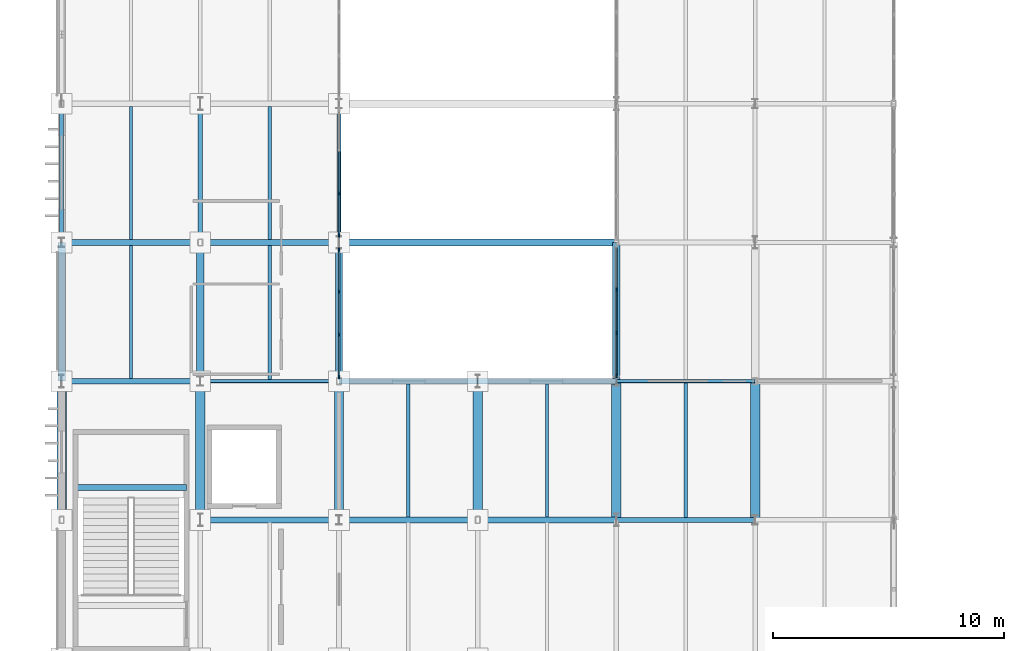
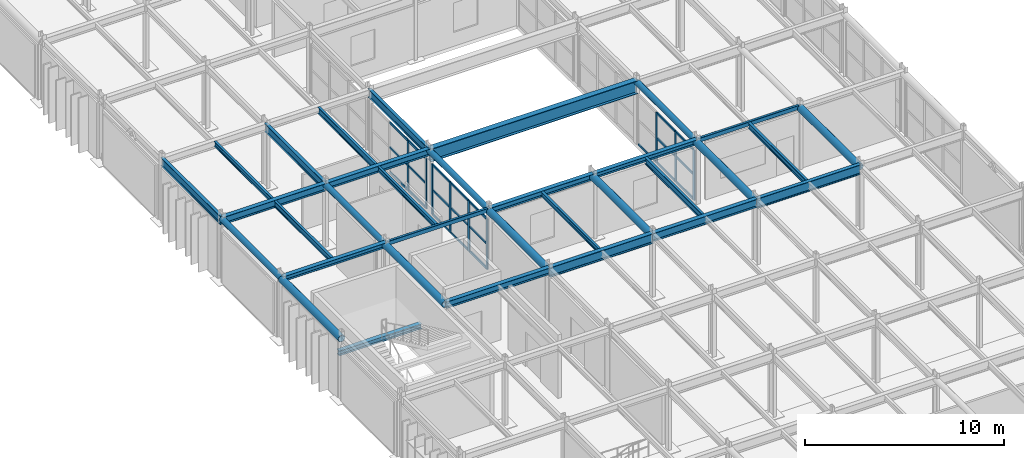
# One storey, part 36 of 116: 33 beams, 31 members, 3 elements without a shape of their own.
"""IFC4 building model written with IfcOpenShell, lengths in metres."""

from ifc_helpers import new_model, si_unit, direction, frame, origin, origin_2d, place, context, subcontext, project, spatial, rectangle, hollow_rectangle, hollow_circle, i_section, extrude, material, material_profile, profile_set, type_object, element, aggregate, save


model = new_model("IFC4")

# Units and contexts
model_context = context("Model", 3, precision=1e-05, world=origin(), true_north=direction((0.0, 1.0)))
body_context = subcontext(model_context, "Body", "Model", "MODEL_VIEW")
ifc_project = project(units=[si_unit("LENGTHUNIT", "METRE"), si_unit("AREAUNIT", "SQUARE_METRE"), si_unit("VOLUMEUNIT", "CUBIC_METRE"), si_unit("PLANEANGLEUNIT", "RADIAN"), si_unit("MASSUNIT", "GRAM", prefix="KILO")], contexts=[model_context])

# Site, building, storey
site_placement = place(None, origin())
site = spatial("IfcSite", under=ifc_project, at=site_placement, CompositionType="ELEMENT")
building_placement = place(site_placement, origin())
building = spatial("IfcBuilding", under=site, at=building_placement, Name="Varnakota Square Police Headquarters", CompositionType="ELEMENT")
storey_placement = place(building_placement, frame((0.0, 0.0, 9.300048828125)))
storey = spatial("IfcBuildingStorey", under=building, at=storey_placement, Name="L02", CompositionType="ELEMENT", Elevation=9.300048828125)

# Beams
ifc_material_1 = material(Name="Steel IS 2062 Grade 350", Category="steel")
ifc_material_profile_1 = material_profile(ifc_material_1, hollow_circle(Radius=0.161865234375, WallThickness=0.0126953125, at=origin_2d()), Name="CHS 323.9x12.7")
ifc_profile_set_1 = profile_set([ifc_material_profile_1], Name="Steel IS 2062 Grade 350")
beam_type_1 = type_object("IfcBeamType", Name="BM-ARC-CHS324", PredefinedType="BEAM", material=ifc_profile_set_1)
for number, where, z_axis, x_axis, name in (
    (1, (6.0, 39.0, 3.738037109375), (0.0, 1.0, 0.0), (-1.0, 0.0, 0.0), "BMG-L02-2107"),
    (2, (12.0, 39.0, 3.738037109375), (0.0, 1.0, 0.0), (-1.0, 0.0, 0.0), "BMG-L02-2124"),
    (3, (18.0, 39.0, 3.738037109375), (0.0, 1.0, 0.0), (-1.0, 0.0, 0.0), "BMG-L02-2138"),
    (4, (30.0, 39.0, 3.738037109375), (0.0, 1.0, 0.0), (-1.0, 0.0, 0.0), "BMG-L02-2160"),
):
    element("IfcBeam", number, at=place(storey_placement, frame(where, z_axis=z_axis, x_axis=x_axis)), inside=storey, type_object=beam_type_1, Name=name, PredefinedType="BEAM", context=body_context, shape_type="SweptSolid", body=[
        extrude(hollow_circle(Radius=0.161865234375, WallThickness=0.0126953125, at=origin_2d()), origin(), (0.0, 0.0, 1.0), 6.0),
    ])
ifc_material_profile_2 = material_profile(ifc_material_1, hollow_circle(Radius=0.203125, WallThickness=0.01611328125, at=origin_2d()), Name="CHS 406.4x16.0")
ifc_profile_set_2 = profile_set([ifc_material_profile_2], Name="Steel IS 2062 Grade 350")
beam_type_2 = type_object("IfcBeamType", Name="BM-ARC-CHS406", PredefinedType="BEAM", material=ifc_profile_set_2)
for number, where, z_axis, x_axis, name in (
    (5, (6.0, 33.0, 3.69677734375), (0.0, 1.0, 0.0), (-1.0, 0.0, 0.0), "BMG-L02-2106"),
    (6, (12.0, 33.0, 3.69677734375), (0.0, 1.0, 0.0), (-1.0, 0.0, 0.0), "BMG-L02-2123"),
    (7, (18.0, 33.0, 3.69677734375), (0.0, 1.0, 0.0), (-1.0, 0.0, 0.0), "BMG-L02-2137"),
    (8, (24.0, 33.0, 3.69677734375), (0.0, 1.0, 0.0), (-1.0, 0.0, 0.0), "BMG-L02-2151"),
    (9, (30.0, 33.0, 3.69677734375), (0.0, 1.0, 0.0), (-1.0, 0.0, 0.0), "BMG-L02-2159"),
    (10, (36.0, 33.0, 3.69677734375), (0.0, 1.0, 0.0), (-1.0, 0.0, 0.0), "BMG-L02-2173"),
):
    element("IfcBeam", number, at=place(storey_placement, frame(where, z_axis=z_axis, x_axis=x_axis)), inside=storey, type_object=beam_type_2, Name=name, PredefinedType="BEAM", context=body_context, shape_type="SweptSolid", body=[
        extrude(hollow_circle(Radius=0.203125, WallThickness=0.01611328125, at=origin_2d()), origin(), (0.0, 0.0, 1.0), 6.0),
    ])
ifc_material_profile_3 = material_profile(ifc_material_1, i_section(OverallWidth=0.320068359375, OverallDepth=0.800048828125, WebThickness=0.01611328125, FlangeThickness=0.028076171875, at=origin_2d()), Name="BPG 800x320")
ifc_profile_set_3 = profile_set([ifc_material_profile_3], Name="Steel IS 2062 Grade 350")
beam_type_3 = type_object("IfcBeamType", Name="BM-BPG800", PredefinedType="BEAM", material=ifc_profile_set_3)
beam_1_placement = place(storey_placement, frame((18.0, 45.0, 3.5), z_axis=(1.0, 0.0, 0.0), x_axis=(0.0, 1.0, 0.0)))
element("IfcBeam", 11, at=beam_1_placement, inside=storey, type_object=beam_type_3, Name="BMG-L02-1983", PredefinedType="BEAM", context=body_context, shape_type="SweptSolid", body=[
    extrude(i_section(OverallWidth=0.320068359375, OverallDepth=0.800048828125, WebThickness=0.01611328125, FlangeThickness=0.028076171875, at=origin_2d()), origin(), (0.0, 0.0, 1.0), 12.0),
])
ifc_material_profile_4 = material_profile(ifc_material_1, hollow_rectangle(XDim=0.14990234375, YDim=0.25, WallThickness=0.010009765625, InnerFilletRadius=0.010009765625, OuterFilletRadius=0.02001953125, at=origin_2d()), Name="RHS 250x150x10")
ifc_profile_set_4 = profile_set([ifc_material_profile_4], Name="Steel IS 2062 Grade 350")
beam_type_4 = type_object("IfcBeamType", Name="BM-CBEAM-RHS250", PredefinedType="BEAM", material=ifc_profile_set_4)
for number, where, z_axis, x_axis, name in (
    (12, (12.0, 39.0, 3.77490234375), (1.0, 0.0, 0.0), (0.0, 1.0, 0.0), "BMG-L02-1972"),
    (13, (30.0, 39.0, 3.77490234375), (1.0, 0.0, 0.0), (0.0, 1.0, 0.0), "BMG-L02-1975"),
):
    element("IfcBeam", number, at=place(storey_placement, frame(where, z_axis=z_axis, x_axis=x_axis)), inside=storey, type_object=beam_type_4, Name=name, PredefinedType="BEAM", context=body_context, shape_type="SweptSolid", body=[
        extrude(hollow_rectangle(XDim=0.14990234375, YDim=0.25, WallThickness=0.010009765625, InnerFilletRadius=0.010009765625, OuterFilletRadius=0.02001953125, at=origin_2d()), origin(), (0.0, 0.0, 1.0), 6.0),
    ])
ifc_material_profile_5 = material_profile(ifc_material_1, i_section(OverallWidth=0.25, OverallDepth=0.300048828125, WebThickness=0.009521484375, FlangeThickness=0.010498046875, FilletRadius=0.011962890625, at=origin_2d()), Name="ISHB 300")
ifc_profile_set_5 = profile_set([ifc_material_profile_5], Name="Steel IS 2062 Grade 350")
beam_type_5 = type_object("IfcBeamType", Name="BM-ISHB300", PredefinedType="BEAM", material=ifc_profile_set_5)
for number, where, z_axis, x_axis, name in (
    (14, (6.0, 39.0, 3.75), (1.0, 0.0, 0.0), (0.0, 1.0, 0.0), "BMG-L02-1971"),
    (15, (24.0, 39.0, 3.75), (1.0, 0.0, 0.0), (0.0, 1.0, 0.0), "BMG-L02-1974"),
):
    element("IfcBeam", number, at=place(storey_placement, frame(where, z_axis=z_axis, x_axis=x_axis)), inside=storey, type_object=beam_type_5, Name=name, PredefinedType="BEAM", context=body_context, shape_type="SweptSolid", body=[
        extrude(i_section(OverallWidth=0.25, OverallDepth=0.300048828125, WebThickness=0.009521484375, FlangeThickness=0.010498046875, FilletRadius=0.011962890625, at=origin_2d()), origin(), (0.0, 0.0, 1.0), 6.0),
    ])
beam_2_placement = place(storey_placement, frame((6.60009765625, 34.400634765625, 1.783935546875), z_axis=(1.0, 0.0, 0.0), x_axis=(0.0, 1.0, 0.0)))
element("IfcBeam", 16, at=beam_2_placement, inside=storey, type_object=beam_type_5, Name="Stair landing support beam BM-LND-0051", PredefinedType="BEAM", context=body_context, shape_type="SweptSolid", body=[
    extrude(i_section(OverallWidth=0.25, OverallDepth=0.300048828125, WebThickness=0.009521484375, FlangeThickness=0.010498046875, FilletRadius=0.011962890625, at=origin_2d()), origin(), (0.0, 0.0, 1.0), 4.7998046875),
])
ifc_material_profile_6 = material_profile(ifc_material_1, i_section(OverallWidth=0.25, OverallDepth=0.35009765625, WebThickness=0.010009765625, FlangeThickness=0.01171875, FilletRadius=0.011962890625, at=origin_2d()), Name="ISHB 350")
ifc_profile_set_6 = profile_set([ifc_material_profile_6], Name="Steel IS 2062 Grade 350")
beam_type_6 = type_object("IfcBeamType", Name="BM-ISHB350", PredefinedType="BEAM", material=ifc_profile_set_6)
beam_3_placement = place(storey_placement, frame((18.0, 39.0, 3.724853515625), z_axis=(1.0, 0.0, 0.0), x_axis=(0.0, 1.0, 0.0)))
element("IfcBeam", 17, at=beam_3_placement, inside=storey, type_object=beam_type_6, Name="BMG-L02-1973", PredefinedType="BEAM", context=body_context, shape_type="SweptSolid", body=[
    extrude(i_section(OverallWidth=0.25, OverallDepth=0.35009765625, WebThickness=0.010009765625, FlangeThickness=0.01171875, FilletRadius=0.011962890625, at=origin_2d()), origin(), (0.0, 0.0, 1.0), 6.0),
])
ifc_material_profile_7 = material_profile(ifc_material_1, i_section(OverallWidth=0.25, OverallDepth=0.39990234375, WebThickness=0.010498046875, FlangeThickness=0.0126953125, FilletRadius=0.013916015625, at=origin_2d()), Name="ISHB 400")
ifc_profile_set_7 = profile_set([ifc_material_profile_7], Name="Steel IS 2062 Grade 350")
beam_type_7 = type_object("IfcBeamType", Name="BM-ISHB400", PredefinedType="BEAM", material=ifc_profile_set_7)
for number, where, z_axis, x_axis, name in (
    (18, (12.0, 33.0, 3.699951171875), (1.0, 0.0, 0.0), (0.0, 1.0, 0.0), "BMG-L02-1963"),
    (19, (12.0, 45.0, 3.699951171875), (1.0, 0.0, 0.0), (0.0, 1.0, 0.0), "BMG-L02-1982"),
):
    element("IfcBeam", number, at=place(storey_placement, frame(where, z_axis=z_axis, x_axis=x_axis)), inside=storey, type_object=beam_type_7, Name=name, PredefinedType="BEAM", context=body_context, shape_type="SweptSolid", body=[
        extrude(i_section(OverallWidth=0.25, OverallDepth=0.39990234375, WebThickness=0.010498046875, FlangeThickness=0.0126953125, FilletRadius=0.013916015625, at=origin_2d()), origin(), (0.0, 0.0, 1.0), 6.0),
    ])
ifc_material_profile_8 = material_profile(ifc_material_1, i_section(OverallWidth=0.25, OverallDepth=0.449951171875, WebThickness=0.01123046875, FlangeThickness=0.013671875, FilletRadius=0.014892578125, at=origin_2d()), Name="ISHB 450")
ifc_profile_set_8 = profile_set([ifc_material_profile_8], Name="Steel IS 2062 Grade 350")
beam_type_8 = type_object("IfcBeamType", Name="BM-ISHB450", PredefinedType="BEAM", material=ifc_profile_set_8)
beam_4_placement = place(storey_placement, frame((6.0, 45.0, 3.675048828125), z_axis=(1.0, 0.0, 0.0), x_axis=(0.0, 1.0, 0.0)))
element("IfcBeam", 20, at=beam_4_placement, inside=storey, type_object=beam_type_8, Name="BMG-L02-1981", PredefinedType="BEAM", context=body_context, shape_type="SweptSolid", body=[
    extrude(i_section(OverallWidth=0.25, OverallDepth=0.449951171875, WebThickness=0.01123046875, FlangeThickness=0.013671875, FilletRadius=0.014892578125, at=origin_2d()), origin(), (0.0, 0.0, 1.0), 6.0),
])
ifc_material_profile_9 = material_profile(ifc_material_1, i_section(OverallWidth=0.139892578125, OverallDepth=0.300048828125, WebThickness=0.0078125, FlangeThickness=0.01318359375, FilletRadius=0.013916015625, at=origin_2d()), Name="ISMB 300")
ifc_profile_set_9 = profile_set([ifc_material_profile_9], Name="Steel IS 2062 Grade 350")
beam_type_9 = type_object("IfcBeamType", Name="BM-ISMB300", PredefinedType="JOIST", material=ifc_profile_set_9)
beam_5_placement = place(storey_placement, frame((9.0, 45.123046875, 3.75), z_axis=(0.0, 1.0, 0.0), x_axis=(-1.0, 0.0, 0.0)))
element("IfcBeam", 21, at=beam_5_placement, inside=storey, type_object=beam_type_9, Name="BMG-L02-2314", PredefinedType="JOIST", context=body_context, shape_type="SweptSolid", body=[
    extrude(i_section(OverallWidth=0.139892578125, OverallDepth=0.300048828125, WebThickness=0.0078125, FlangeThickness=0.01318359375, FilletRadius=0.013916015625, at=origin_2d()), origin(), (0.0, 0.0, 1.0), 5.75390625),
])
beam_6_placement = place(storey_placement, frame((15.0, 39.072998046875, 3.75), z_axis=(0.0, 1.0, 0.0), x_axis=(-1.0, 0.0, 0.0)))
element("IfcBeam", 22, at=beam_6_placement, inside=storey, type_object=beam_type_9, Name="BMG-L02-2324", PredefinedType="JOIST", context=body_context, shape_type="SweptSolid", body=[
    extrude(i_section(OverallWidth=0.139892578125, OverallDepth=0.300048828125, WebThickness=0.0078125, FlangeThickness=0.01318359375, FilletRadius=0.013916015625, at=origin_2d()), origin(), (0.0, 0.0, 1.0), 5.803955078125),
])
beam_7_placement = place(storey_placement, frame((21.0, 33.123046875, 3.75), z_axis=(0.0, 1.0, 0.0), x_axis=(-1.0, 0.0, 0.0)))
element("IfcBeam", 23, at=beam_7_placement, inside=storey, type_object=beam_type_9, Name="BMG-L02-2335", PredefinedType="JOIST", context=body_context, shape_type="SweptSolid", body=[
    extrude(i_section(OverallWidth=0.139892578125, OverallDepth=0.300048828125, WebThickness=0.0078125, FlangeThickness=0.01318359375, FilletRadius=0.013916015625, at=origin_2d()), origin(), (0.0, 0.0, 1.0), 5.75390625),
])
ifc_material_profile_10 = material_profile(ifc_material_1, i_section(OverallWidth=0.139892578125, OverallDepth=0.35009765625, WebThickness=0.008056640625, FlangeThickness=0.01416015625, FilletRadius=0.013916015625, at=origin_2d()), Name="ISMB 350")
ifc_profile_set_10 = profile_set([ifc_material_profile_10], Name="Steel IS 2062 Grade 350")
beam_type_10 = type_object("IfcBeamType", Name="BM-ISMB350", PredefinedType="JOIST", material=ifc_profile_set_10)
beam_8_placement = place(storey_placement, frame((9.0, 39.123046875, 3.724853515625), z_axis=(0.0, 1.0, 0.0), x_axis=(-1.0, 0.0, 0.0)))
element("IfcBeam", 24, at=beam_8_placement, inside=storey, type_object=beam_type_10, Name="BMG-L02-2313", PredefinedType="JOIST", context=body_context, shape_type="SweptSolid", body=[
    extrude(i_section(OverallWidth=0.139892578125, OverallDepth=0.35009765625, WebThickness=0.008056640625, FlangeThickness=0.01416015625, FilletRadius=0.013916015625, at=origin_2d()), origin(), (0.0, 0.0, 1.0), 5.75390625),
])
beam_9_placement = place(storey_placement, frame((33.0, 33.10302734375, 3.724853515625), z_axis=(0.0, 1.0, 0.0), x_axis=(-1.0, 0.0, 0.0)))
element("IfcBeam", 25, at=beam_9_placement, inside=storey, type_object=beam_type_10, Name="BMG-L02-2350", PredefinedType="JOIST", context=body_context, shape_type="SweptSolid", body=[
    extrude(i_section(OverallWidth=0.139892578125, OverallDepth=0.35009765625, WebThickness=0.008056640625, FlangeThickness=0.01416015625, FilletRadius=0.013916015625, at=origin_2d()), origin(), (0.0, 0.0, 1.0), 5.823974609375),
])
ifc_material_profile_11 = material_profile(ifc_material_1, i_section(OverallWidth=0.139892578125, OverallDepth=0.39990234375, WebThickness=0.0087890625, FlangeThickness=0.01611328125, FilletRadius=0.013916015625, at=origin_2d()), Name="ISMB 400")
ifc_profile_set_11 = profile_set([ifc_material_profile_11], Name="Steel IS 2062 Grade 350")
beam_type_11 = type_object("IfcBeamType", Name="BM-ISMB400", PredefinedType="JOIST", material=ifc_profile_set_11)
for number, where, z_axis, x_axis, name in (
    (26, (15.0, 45.123046875, 3.699951171875), (0.0, 1.0, 0.0), (-1.0, 0.0, 0.0), "BMG-L02-2325"),
    (27, (27.0, 33.123046875, 3.699951171875), (0.0, 1.0, 0.0), (-1.0, 0.0, 0.0), "BMG-L02-2342"),
):
    element("IfcBeam", number, at=place(storey_placement, frame(where, z_axis=z_axis, x_axis=x_axis)), inside=storey, type_object=beam_type_11, Name=name, PredefinedType="JOIST", context=body_context, shape_type="SweptSolid", body=[
        extrude(i_section(OverallWidth=0.139892578125, OverallDepth=0.39990234375, WebThickness=0.0087890625, FlangeThickness=0.01611328125, FilletRadius=0.013916015625, at=origin_2d()), origin(), (0.0, 0.0, 1.0), 5.75390625),
    ])
ifc_material_profile_12 = material_profile(ifc_material_1, i_section(OverallWidth=0.179931640625, OverallDepth=0.5, WebThickness=0.01025390625, FlangeThickness=0.01708984375, FilletRadius=0.01708984375, at=origin_2d()), Name="ISMB 500")
ifc_profile_set_12 = profile_set([ifc_material_profile_12], Name="Steel IS 2062 Grade 350")
beam_type_12 = type_object("IfcBeamType", Name="BM-ISMB500", PredefinedType="BEAM", material=ifc_profile_set_12)
for number, where, z_axis, x_axis, name in (
    (28, (6.0, 45.0, 3.64990234375), (0.0, 1.0, 0.0), (-1.0, 0.0, 0.0), "BMG-L02-2108"),
    (29, (12.0, 45.0, 3.64990234375), (0.0, 1.0, 0.0), (-1.0, 0.0, 0.0), "BMG-L02-2125"),
    (30, (18.0, 45.0, 3.64990234375), (0.0, 1.0, 0.0), (-1.0, 0.0, 0.0), "BMG-L02-2139"),
):
    element("IfcBeam", number, at=place(storey_placement, frame(where, z_axis=z_axis, x_axis=x_axis)), inside=storey, type_object=beam_type_12, Name=name, PredefinedType="BEAM", context=body_context, shape_type="SweptSolid", body=[
        extrude(i_section(OverallWidth=0.179931640625, OverallDepth=0.5, WebThickness=0.01025390625, FlangeThickness=0.01708984375, FilletRadius=0.01708984375, at=origin_2d()), origin(), (0.0, 0.0, 1.0), 6.0),
    ])
ifc_material_profile_13 = material_profile(ifc_material_1, i_section(OverallWidth=0.2099609375, OverallDepth=0.60009765625, WebThickness=0.011962890625, FlangeThickness=0.020751953125, FilletRadius=0.02001953125, at=origin_2d()), Name="ISMB 600")
ifc_profile_set_13 = profile_set([ifc_material_profile_13], Name="Steel IS 2062 Grade 350")
beam_type_13 = type_object("IfcBeamType", Name="BM-ISMB600", PredefinedType="BEAM", material=ifc_profile_set_13)
beam_10_placement = place(storey_placement, frame((30.0, 33.0, 3.599853515625), z_axis=(1.0, 0.0, 0.0), x_axis=(0.0, 1.0, 0.0)))
element("IfcBeam", 31, at=beam_10_placement, inside=storey, type_object=beam_type_13, Name="BMG-L02-1966", PredefinedType="BEAM", context=body_context, shape_type="SweptSolid", body=[
    extrude(i_section(OverallWidth=0.2099609375, OverallDepth=0.60009765625, WebThickness=0.011962890625, FlangeThickness=0.020751953125, FilletRadius=0.02001953125, at=origin_2d()), origin(), (0.0, 0.0, 1.0), 6.0),
])
ifc_material_profile_14 = material_profile(ifc_material_1, i_section(OverallWidth=0.25, OverallDepth=0.5, WebThickness=0.010009765625, FlangeThickness=0.0146484375, FilletRadius=0.014892578125, at=origin_2d()), Name="ISWB 500")
ifc_profile_set_14 = profile_set([ifc_material_profile_14], Name="Steel IS 2062 Grade 350")
beam_type_14 = type_object("IfcBeamType", Name="BM-ISWB500", PredefinedType="BEAM", material=ifc_profile_set_14)
beam_11_placement = place(storey_placement, frame((24.0, 33.0, 3.64990234375), z_axis=(1.0, 0.0, 0.0), x_axis=(0.0, 1.0, 0.0)))
element("IfcBeam", 32, at=beam_11_placement, inside=storey, type_object=beam_type_14, Name="BMG-L02-1965", PredefinedType="BEAM", context=body_context, shape_type="SweptSolid", body=[
    extrude(i_section(OverallWidth=0.25, OverallDepth=0.5, WebThickness=0.010009765625, FlangeThickness=0.0146484375, FilletRadius=0.014892578125, at=origin_2d()), origin(), (0.0, 0.0, 1.0), 6.0),
])
ifc_material_profile_15 = material_profile(ifc_material_1, i_section(OverallWidth=0.25, OverallDepth=0.60009765625, WebThickness=0.01171875, FlangeThickness=0.023681640625, FilletRadius=0.01708984375, at=origin_2d()), Name="ISWB 600")
ifc_profile_set_15 = profile_set([ifc_material_profile_15], Name="Steel IS 2062 Grade 350")
beam_type_15 = type_object("IfcBeamType", Name="BM-ISWB600", PredefinedType="BEAM", material=ifc_profile_set_15)
beam_12_placement = place(storey_placement, frame((18.0, 33.0, 3.599853515625), z_axis=(1.0, 0.0, 0.0), x_axis=(0.0, 1.0, 0.0)))
element("IfcBeam", 33, at=beam_12_placement, inside=storey, type_object=beam_type_15, Name="BMG-L02-1964", PredefinedType="BEAM", context=body_context, shape_type="SweptSolid", body=[
    extrude(i_section(OverallWidth=0.25, OverallDepth=0.60009765625, WebThickness=0.01171875, FlangeThickness=0.023681640625, FilletRadius=0.01708984375, at=origin_2d()), origin(), (0.0, 0.0, 1.0), 6.0),
])

# Curtain wall, members
ifc_material_2 = material(Name="Anodised Aluminium Framing", Category="aluminium")
curtain_wall_type = type_object("IfcCurtainWallType", Name="CW-SYS-F", PredefinedType="NOTDEFINED", material=ifc_material_2)
curtain_wall_1_placement = place(storey_placement, origin())
curtain_wall_1 = element("IfcCurtainWall", 34, at=curtain_wall_1_placement, inside=storey, type_object=curtain_wall_type, Name="Unitised curtain wall CWG-L02-161", PredefinedType="NOTDEFINED")
ifc_material_3 = material(Name="Anodised Aluminium 6063-T6", Category="aluminium")
ifc_material_profile_16 = material_profile(ifc_material_3, rectangle(XDim=0.06494140625, YDim=0.159912109375, at=origin_2d()), Name="ALU MULLION 65x160")
ifc_profile_set_16 = profile_set([ifc_material_profile_16], Name="Anodised Aluminium 6063-T6")
member_type_1 = type_object("IfcMemberType", Name="CWM-150", PredefinedType="MULLION", material=ifc_profile_set_16)
member_1_placement = place(storey_placement, frame((18.0, 39.1875, 0.0), z_axis=(0.0, 0.0, 1.0), x_axis=(-1.0, 0.0, 0.0)))
member_1 = element("IfcMember", 35, at=member_1_placement, type_object=member_type_1, Name="CWG-L02-161 mullion 1", PredefinedType="MULLION", context=body_context, shape_type="SweptSolid", body=[
    extrude(rectangle(XDim=0.06494140625, YDim=0.159912109375, at=origin_2d()), origin(), (0.0, 0.0, 1.0), 3.08984375),
])
member_2_placement = place(storey_placement, frame((18.0, 41.010009765625, 0.0), z_axis=(0.0, 0.0, 1.0), x_axis=(-1.0, 0.0, 0.0)))
member_2 = element("IfcMember", 36, at=member_2_placement, type_object=member_type_1, Name="CWG-L02-161 mullion 2", PredefinedType="MULLION", context=body_context, shape_type="SweptSolid", body=[
    extrude(rectangle(XDim=0.06494140625, YDim=0.159912109375, at=origin_2d()), origin(), (0.0, 0.0, 1.0), 3.08984375),
])
member_3_placement = place(storey_placement, frame((18.0, 42.864990234375, 0.0), z_axis=(0.0, 0.0, 1.0), x_axis=(-1.0, 0.0, 0.0)))
member_3 = element("IfcMember", 37, at=member_3_placement, type_object=member_type_1, Name="CWG-L02-161 mullion 3", PredefinedType="MULLION", context=body_context, shape_type="SweptSolid", body=[
    extrude(rectangle(XDim=0.06494140625, YDim=0.159912109375, at=origin_2d()), origin(), (0.0, 0.0, 1.0), 3.08984375),
])
member_4_placement = place(storey_placement, frame((18.0, 44.6875, 0.0), z_axis=(0.0, 0.0, 1.0), x_axis=(-1.0, 0.0, 0.0)))
member_4 = element("IfcMember", 38, at=member_4_placement, type_object=member_type_1, Name="CWG-L02-161 mullion 4", PredefinedType="MULLION", context=body_context, shape_type="SweptSolid", body=[
    extrude(rectangle(XDim=0.06494140625, YDim=0.159912109375, at=origin_2d()), origin(), (0.0, 0.0, 1.0), 3.08984375),
])

curtain_wall_2_placement = place(storey_placement, origin())
curtain_wall_2 = element("IfcCurtainWall", 39, at=curtain_wall_2_placement, inside=storey, type_object=curtain_wall_type, Name="Unitised curtain wall CWG-L02-162", PredefinedType="NOTDEFINED")
member_5_placement = place(storey_placement, frame((30.0, 39.237548828125, 0.0), z_axis=(0.0, 0.0, 1.0), x_axis=(-1.0, 0.0, 0.0)))
member_5 = element("IfcMember", 40, at=member_5_placement, type_object=member_type_1, Name="CWG-L02-162 mullion 1", PredefinedType="MULLION", context=body_context, shape_type="SweptSolid", body=[
    extrude(rectangle(XDim=0.06494140625, YDim=0.159912109375, at=origin_2d()), origin(), (0.0, 0.0, 1.0), 3.08984375),
])
member_6_placement = place(storey_placement, frame((30.0, 41.0849609375, 0.0), z_axis=(0.0, 0.0, 1.0), x_axis=(-1.0, 0.0, 0.0)))
member_6 = element("IfcMember", 41, at=member_6_placement, type_object=member_type_1, Name="CWG-L02-162 mullion 2", PredefinedType="MULLION", context=body_context, shape_type="SweptSolid", body=[
    extrude(rectangle(XDim=0.06494140625, YDim=0.159912109375, at=origin_2d()), origin(), (0.0, 0.0, 1.0), 3.08984375),
])
member_7_placement = place(storey_placement, frame((30.0, 42.965087890625, 0.0), z_axis=(0.0, 0.0, 1.0), x_axis=(-1.0, 0.0, 0.0)))
member_7 = element("IfcMember", 42, at=member_7_placement, type_object=member_type_1, Name="CWG-L02-162 mullion 3", PredefinedType="MULLION", context=body_context, shape_type="SweptSolid", body=[
    extrude(rectangle(XDim=0.06494140625, YDim=0.159912109375, at=origin_2d()), origin(), (0.0, 0.0, 1.0), 3.08984375),
])

curtain_wall_3_placement = place(storey_placement, origin())
curtain_wall_3 = element("IfcCurtainWall", 43, at=curtain_wall_3_placement, inside=storey, type_object=curtain_wall_type, Name="Unitised curtain wall CWG-L02-163", PredefinedType="NOTDEFINED")
member_8_placement = place(storey_placement, frame((18.0, 45.3125, 0.0), z_axis=(0.0, 0.0, 1.0), x_axis=(-1.0, 0.0, 0.0)))
member_8 = element("IfcMember", 44, at=member_8_placement, type_object=member_type_1, Name="CWG-L02-163 mullion 1", PredefinedType="MULLION", context=body_context, shape_type="SweptSolid", body=[
    extrude(rectangle(XDim=0.06494140625, YDim=0.159912109375, at=origin_2d()), origin(), (0.0, 0.0, 1.0), 3.08984375),
])
member_9_placement = place(storey_placement, frame((18.0, 47.118408203125, 0.0), z_axis=(0.0, 0.0, 1.0), x_axis=(-1.0, 0.0, 0.0)))
member_9 = element("IfcMember", 45, at=member_9_placement, type_object=member_type_1, Name="CWG-L02-163 mullion 2", PredefinedType="MULLION", context=body_context, shape_type="SweptSolid", body=[
    extrude(rectangle(XDim=0.06494140625, YDim=0.159912109375, at=origin_2d()), origin(), (0.0, 0.0, 1.0), 3.08984375),
])

# Member
ifc_material_profile_17 = material_profile(ifc_material_3, rectangle(XDim=0.06494140625, YDim=0.1298828125, at=origin_2d()), Name="ALU TRANSOM 65x130")
ifc_profile_set_17 = profile_set([ifc_material_profile_17], Name="Anodised Aluminium 6063-T6")
member_type_2 = type_object("IfcMemberType", Name="CWT-120", PredefinedType="USERDEFINED", material=ifc_profile_set_17)
member_10_placement = place(storey_placement, frame((18.0, 39.219970703125, 0.032470703125), z_axis=(0.0, 1.0, 0.0), x_axis=(-1.0, 0.0, 0.0)))
member_10 = element("IfcMember", 46, at=member_10_placement, type_object=member_type_2, Name="CWG-L02-161 transom 1.1", ObjectType="TRANSOM", PredefinedType="USERDEFINED", context=body_context, shape_type="SweptSolid", body=[
    extrude(rectangle(XDim=0.06494140625, YDim=0.1298828125, at=origin_2d()), origin(), (0.0, 0.0, 1.0), 1.757568359375),
])

member_11_placement = place(storey_placement, frame((18.0, 39.219970703125, 1.544921875), z_axis=(0.0, 1.0, 0.0), x_axis=(-1.0, 0.0, 0.0)))
member_11 = element("IfcMember", 47, at=member_11_placement, type_object=member_type_2, Name="CWG-L02-161 transom 1.2", ObjectType="TRANSOM", PredefinedType="USERDEFINED", context=body_context, shape_type="SweptSolid", body=[
    extrude(rectangle(XDim=0.06494140625, YDim=0.1298828125, at=origin_2d()), origin(), (0.0, 0.0, 1.0), 1.757568359375),
])

member_12_placement = place(storey_placement, frame((18.0, 39.219970703125, 3.057373046875), z_axis=(0.0, 1.0, 0.0), x_axis=(-1.0, 0.0, 0.0)))
member_12 = element("IfcMember", 48, at=member_12_placement, type_object=member_type_2, Name="CWG-L02-161 transom 1.3", ObjectType="TRANSOM", PredefinedType="USERDEFINED", context=body_context, shape_type="SweptSolid", body=[
    extrude(rectangle(XDim=0.06494140625, YDim=0.1298828125, at=origin_2d()), origin(), (0.0, 0.0, 1.0), 1.757568359375),
])

member_13_placement = place(storey_placement, frame((18.0, 41.04248046875, 0.032470703125), z_axis=(0.0, 1.0, 0.0), x_axis=(-1.0, 0.0, 0.0)))
member_13 = element("IfcMember", 49, at=member_13_placement, type_object=member_type_2, Name="CWG-L02-161 transom 2.1", ObjectType="TRANSOM", PredefinedType="USERDEFINED", context=body_context, shape_type="SweptSolid", body=[
    extrude(rectangle(XDim=0.06494140625, YDim=0.1298828125, at=origin_2d()), origin(), (0.0, 0.0, 1.0), 1.7900390625),
])

member_14_placement = place(storey_placement, frame((18.0, 41.04248046875, 1.544921875), z_axis=(0.0, 1.0, 0.0), x_axis=(-1.0, 0.0, 0.0)))
member_14 = element("IfcMember", 50, at=member_14_placement, type_object=member_type_2, Name="CWG-L02-161 transom 2.2", ObjectType="TRANSOM", PredefinedType="USERDEFINED", context=body_context, shape_type="SweptSolid", body=[
    extrude(rectangle(XDim=0.06494140625, YDim=0.1298828125, at=origin_2d()), origin(), (0.0, 0.0, 1.0), 1.7900390625),
])

member_15_placement = place(storey_placement, frame((18.0, 41.04248046875, 3.057373046875), z_axis=(0.0, 1.0, 0.0), x_axis=(-1.0, 0.0, 0.0)))
member_15 = element("IfcMember", 51, at=member_15_placement, type_object=member_type_2, Name="CWG-L02-161 transom 2.3", ObjectType="TRANSOM", PredefinedType="USERDEFINED", context=body_context, shape_type="SweptSolid", body=[
    extrude(rectangle(XDim=0.06494140625, YDim=0.1298828125, at=origin_2d()), origin(), (0.0, 0.0, 1.0), 1.7900390625),
])

member_16_placement = place(storey_placement, frame((18.0, 42.8974609375, 0.032470703125), z_axis=(0.0, 1.0, 0.0), x_axis=(-1.0, 0.0, 0.0)))
member_16 = element("IfcMember", 52, at=member_16_placement, type_object=member_type_2, Name="CWG-L02-161 transom 3.1", ObjectType="TRANSOM", PredefinedType="USERDEFINED", context=body_context, shape_type="SweptSolid", body=[
    extrude(rectangle(XDim=0.06494140625, YDim=0.1298828125, at=origin_2d()), origin(), (0.0, 0.0, 1.0), 1.757568359375),
])

member_17_placement = place(storey_placement, frame((18.0, 42.8974609375, 1.544921875), z_axis=(0.0, 1.0, 0.0), x_axis=(-1.0, 0.0, 0.0)))
member_17 = element("IfcMember", 53, at=member_17_placement, type_object=member_type_2, Name="CWG-L02-161 transom 3.2", ObjectType="TRANSOM", PredefinedType="USERDEFINED", context=body_context, shape_type="SweptSolid", body=[
    extrude(rectangle(XDim=0.06494140625, YDim=0.1298828125, at=origin_2d()), origin(), (0.0, 0.0, 1.0), 1.757568359375),
])

member_18_placement = place(storey_placement, frame((18.0, 42.8974609375, 3.057373046875), z_axis=(0.0, 1.0, 0.0), x_axis=(-1.0, 0.0, 0.0)))
member_18 = element("IfcMember", 54, at=member_18_placement, type_object=member_type_2, Name="CWG-L02-161 transom 3.3", ObjectType="TRANSOM", PredefinedType="USERDEFINED", context=body_context, shape_type="SweptSolid", body=[
    extrude(rectangle(XDim=0.06494140625, YDim=0.1298828125, at=origin_2d()), origin(), (0.0, 0.0, 1.0), 1.757568359375),
])

aggregate(curtain_wall_1, [member_1, member_2, member_3, member_4, member_10, member_11, member_12, member_13, member_14, member_15, member_16, member_17, member_18])

member_19_placement = place(storey_placement, frame((30.0, 39.27001953125, 0.032470703125), z_axis=(0.0, 1.0, 0.0), x_axis=(-1.0, 0.0, 0.0)))
member_19 = element("IfcMember", 55, at=member_19_placement, type_object=member_type_2, Name="CWG-L02-162 transom 1.1", ObjectType="TRANSOM", PredefinedType="USERDEFINED", context=body_context, shape_type="SweptSolid", body=[
    extrude(rectangle(XDim=0.06494140625, YDim=0.1298828125, at=origin_2d()), origin(), (0.0, 0.0, 1.0), 1.782470703125),
])

member_20_placement = place(storey_placement, frame((30.0, 39.27001953125, 1.544921875), z_axis=(0.0, 1.0, 0.0), x_axis=(-1.0, 0.0, 0.0)))
member_20 = element("IfcMember", 56, at=member_20_placement, type_object=member_type_2, Name="CWG-L02-162 transom 1.2", ObjectType="TRANSOM", PredefinedType="USERDEFINED", context=body_context, shape_type="SweptSolid", body=[
    extrude(rectangle(XDim=0.06494140625, YDim=0.1298828125, at=origin_2d()), origin(), (0.0, 0.0, 1.0), 1.782470703125),
])

member_21_placement = place(storey_placement, frame((30.0, 39.27001953125, 3.057373046875), z_axis=(0.0, 1.0, 0.0), x_axis=(-1.0, 0.0, 0.0)))
member_21 = element("IfcMember", 57, at=member_21_placement, type_object=member_type_2, Name="CWG-L02-162 transom 1.3", ObjectType="TRANSOM", PredefinedType="USERDEFINED", context=body_context, shape_type="SweptSolid", body=[
    extrude(rectangle(XDim=0.06494140625, YDim=0.1298828125, at=origin_2d()), origin(), (0.0, 0.0, 1.0), 1.782470703125),
])

member_22_placement = place(storey_placement, frame((30.0, 41.117431640625, 0.032470703125), z_axis=(0.0, 1.0, 0.0), x_axis=(-1.0, 0.0, 0.0)))
member_22 = element("IfcMember", 58, at=member_22_placement, type_object=member_type_2, Name="CWG-L02-162 transom 2.1", ObjectType="TRANSOM", PredefinedType="USERDEFINED", context=body_context, shape_type="SweptSolid", body=[
    extrude(rectangle(XDim=0.06494140625, YDim=0.1298828125, at=origin_2d()), origin(), (0.0, 0.0, 1.0), 1.815185546875),
])

member_23_placement = place(storey_placement, frame((30.0, 41.117431640625, 1.544921875), z_axis=(0.0, 1.0, 0.0), x_axis=(-1.0, 0.0, 0.0)))
member_23 = element("IfcMember", 59, at=member_23_placement, type_object=member_type_2, Name="CWG-L02-162 transom 2.2", ObjectType="TRANSOM", PredefinedType="USERDEFINED", context=body_context, shape_type="SweptSolid", body=[
    extrude(rectangle(XDim=0.06494140625, YDim=0.1298828125, at=origin_2d()), origin(), (0.0, 0.0, 1.0), 1.815185546875),
])

member_24_placement = place(storey_placement, frame((30.0, 41.117431640625, 3.057373046875), z_axis=(0.0, 1.0, 0.0), x_axis=(-1.0, 0.0, 0.0)))
member_24 = element("IfcMember", 60, at=member_24_placement, type_object=member_type_2, Name="CWG-L02-162 transom 2.3", ObjectType="TRANSOM", PredefinedType="USERDEFINED", context=body_context, shape_type="SweptSolid", body=[
    extrude(rectangle(XDim=0.06494140625, YDim=0.1298828125, at=origin_2d()), origin(), (0.0, 0.0, 1.0), 1.815185546875),
])

member_25_placement = place(storey_placement, frame((30.0, 42.99755859375, 0.032470703125), z_axis=(0.0, 1.0, 0.0), x_axis=(-1.0, 0.0, 0.0)))
member_25 = element("IfcMember", 61, at=member_25_placement, type_object=member_type_2, Name="CWG-L02-162 transom 3.1", ObjectType="TRANSOM", PredefinedType="USERDEFINED", context=body_context, shape_type="SweptSolid", body=[
    extrude(rectangle(XDim=0.06494140625, YDim=0.1298828125, at=origin_2d()), origin(), (0.0, 0.0, 1.0), 1.782470703125),
])

aggregate(curtain_wall_2, [member_5, member_6, member_7, member_19, member_20, member_21, member_22, member_23, member_24, member_25])

member_26_placement = place(storey_placement, frame((18.0, 45.344970703125, 0.032470703125), z_axis=(0.0, 1.0, 0.0), x_axis=(-1.0, 0.0, 0.0)))
member_26 = element("IfcMember", 62, at=member_26_placement, type_object=member_type_2, Name="CWG-L02-163 transom 1.1", ObjectType="TRANSOM", PredefinedType="USERDEFINED", context=body_context, shape_type="SweptSolid", body=[
    extrude(rectangle(XDim=0.06494140625, YDim=0.1298828125, at=origin_2d()), origin(), (0.0, 0.0, 1.0), 1.740966796875),
])

member_27_placement = place(storey_placement, frame((18.0, 45.344970703125, 1.544921875), z_axis=(0.0, 1.0, 0.0), x_axis=(-1.0, 0.0, 0.0)))
member_27 = element("IfcMember", 63, at=member_27_placement, type_object=member_type_2, Name="CWG-L02-163 transom 1.2", ObjectType="TRANSOM", PredefinedType="USERDEFINED", context=body_context, shape_type="SweptSolid", body=[
    extrude(rectangle(XDim=0.06494140625, YDim=0.1298828125, at=origin_2d()), origin(), (0.0, 0.0, 1.0), 1.740966796875),
])

member_28_placement = place(storey_placement, frame((18.0, 45.344970703125, 3.057373046875), z_axis=(0.0, 1.0, 0.0), x_axis=(-1.0, 0.0, 0.0)))
member_28 = element("IfcMember", 64, at=member_28_placement, type_object=member_type_2, Name="CWG-L02-163 transom 1.3", ObjectType="TRANSOM", PredefinedType="USERDEFINED", context=body_context, shape_type="SweptSolid", body=[
    extrude(rectangle(XDim=0.06494140625, YDim=0.1298828125, at=origin_2d()), origin(), (0.0, 0.0, 1.0), 1.740966796875),
])

member_29_placement = place(storey_placement, frame((18.0, 47.15087890625, 0.032470703125), z_axis=(0.0, 1.0, 0.0), x_axis=(-1.0, 0.0, 0.0)))
member_29 = element("IfcMember", 65, at=member_29_placement, type_object=member_type_2, Name="CWG-L02-163 transom 2.1", ObjectType="TRANSOM", PredefinedType="USERDEFINED", context=body_context, shape_type="SweptSolid", body=[
    extrude(rectangle(XDim=0.06494140625, YDim=0.1298828125, at=origin_2d()), origin(), (0.0, 0.0, 1.0), 1.773193359375),
])

member_30_placement = place(storey_placement, frame((18.0, 47.15087890625, 1.544921875), z_axis=(0.0, 1.0, 0.0), x_axis=(-1.0, 0.0, 0.0)))
member_30 = element("IfcMember", 66, at=member_30_placement, type_object=member_type_2, Name="CWG-L02-163 transom 2.2", ObjectType="TRANSOM", PredefinedType="USERDEFINED", context=body_context, shape_type="SweptSolid", body=[
    extrude(rectangle(XDim=0.06494140625, YDim=0.1298828125, at=origin_2d()), origin(), (0.0, 0.0, 1.0), 1.773193359375),
])

member_31_placement = place(storey_placement, frame((18.0, 47.15087890625, 3.057373046875), z_axis=(0.0, 1.0, 0.0), x_axis=(-1.0, 0.0, 0.0)))
member_31 = element("IfcMember", 67, at=member_31_placement, type_object=member_type_2, Name="CWG-L02-163 transom 2.3", ObjectType="TRANSOM", PredefinedType="USERDEFINED", context=body_context, shape_type="SweptSolid", body=[
    extrude(rectangle(XDim=0.06494140625, YDim=0.1298828125, at=origin_2d()), origin(), (0.0, 0.0, 1.0), 1.773193359375),
])

aggregate(curtain_wall_3, [member_8, member_9, member_26, member_27, member_28, member_29, member_30, member_31])

save(model, "model.ifc")
